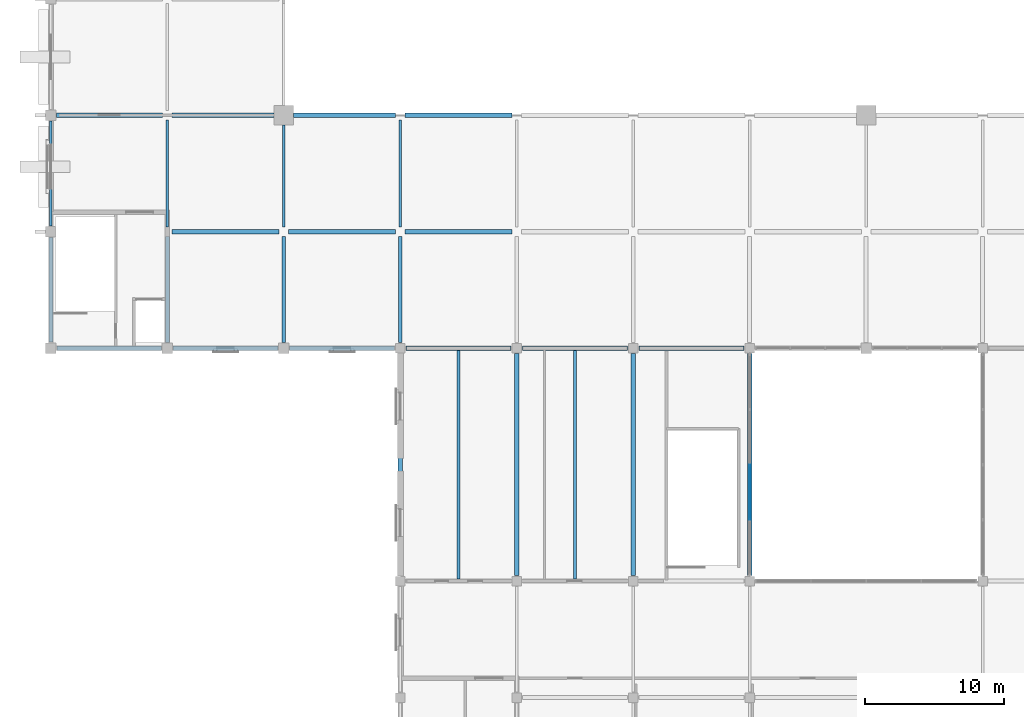
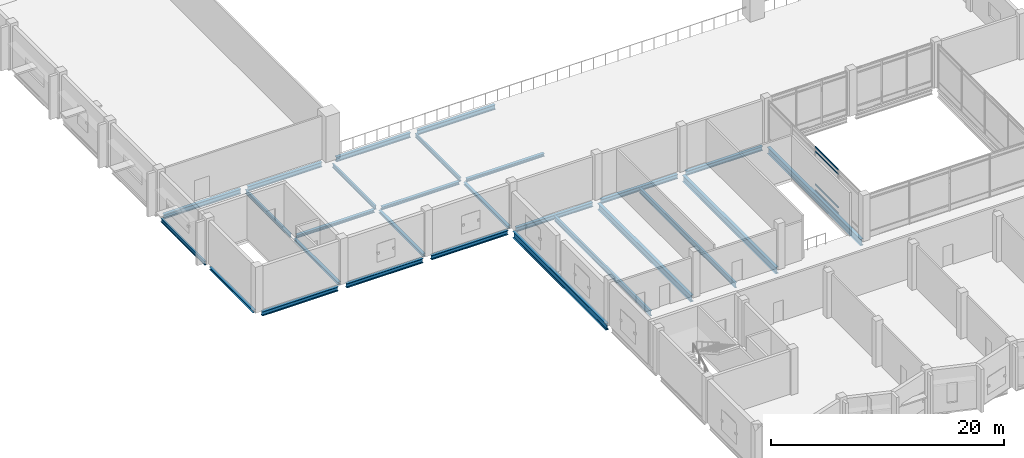
# One storey, part 4 of 110: 27 beams, 4 members, 1 element without a shape of its own.
"""IFC4 building model written with IfcOpenShell, lengths in metres."""

import ifcopenshell
import ifcopenshell.guid

model = None  # the IFC model being written
_history = None  # IfcOwnerHistory: only IFC2X3 demands one
_inside = {}  # id of a spatial element -> (the spatial element, [elements in it])
_under = {}  # id of a project, library or spatial element -> (it, [spatial elements below it])
_declared = {}  # id of a project -> (the project, [libraries it declares])
_typed = {}  # id of a type object -> (the type object, [elements of that type])
_made_of = {}  # id of a material, layer set ... -> (it, [elements and type objects made of it])


def new_model(schema):
    """Start an empty IFC model of exactly this schema.

    Asked for "IFC4X3", IfcOpenShell would pick the latest addendum, in which some entities
    have other attributes; the version numbers below select the first issue.
    IFC2X3 requires an IfcOwnerHistory on every rooted entity: one is made here for all.
    """
    global model, _history
    if schema == "IFC4X3":
        model = ifcopenshell.file(schema_version=(4, 3, 0, 0))
    else:
        model = ifcopenshell.file(schema=schema)
    _inside.clear()
    _under.clear()
    _declared.clear()
    _typed.clear()
    _made_of.clear()
    _history = None
    if model.schema == "IFC2X3":
        org = make("IfcOrganization", Name="unknown")
        user = make(
            "IfcPersonAndOrganization",
            ThePerson=make("IfcPerson", FamilyName="unknown"),
            TheOrganization=org,
        )
        app = make(
            "IfcApplication",
            ApplicationDeveloper=org,
            Version="unknown",
            ApplicationFullName="unknown",
            ApplicationIdentifier="unknown",
        )
        _history = make(
            "IfcOwnerHistory",
            OwningUser=user,
            OwningApplication=app,
            ChangeAction="ADDED",
            CreationDate=0,
        )
    return model


def make(cls, **values):
    """One entity of the class cls with the attributes given. An attribute that is None is left unset."""
    return model.create_entity(
        cls, **{name: value for name, value in values.items() if value is not None}
    )


def rooted(cls, **values):
    """An entity with a GlobalId (a new one), such as an element, a storey or a relation."""
    return make(cls, GlobalId=ifcopenshell.guid.new(), OwnerHistory=_history, **values)


def si_unit(unit_type, name, prefix=None):
    """IfcSIUnit, for example si_unit("LENGTHUNIT", "METRE", prefix="MILLI")."""
    return make("IfcSIUnit", UnitType=unit_type, Prefix=prefix, Name=name)


def assignment(units):
    """IfcUnitAssignment: the units of a project."""
    return None if units is None else make("IfcUnitAssignment", Units=units)


def point(xyz):
    """IfcCartesianPoint."""
    return None if xyz is None else make("IfcCartesianPoint", Coordinates=xyz)


def direction(xyz):
    """IfcDirection."""
    return None if xyz is None else make("IfcDirection", DirectionRatios=xyz)


def frame(location, z_axis=None, x_axis=None):
    """IfcAxis2Placement3D, a coordinate frame: its origin and axes. An axis left out is left unset."""
    return make(
        "IfcAxis2Placement3D",
        Location=point(location),
        Axis=direction(z_axis),
        RefDirection=direction(x_axis),
    )


def frame_2d(location, x_axis=None):
    """IfcAxis2Placement2D, a coordinate frame in the plane: its origin and x axis."""
    return make(
        "IfcAxis2Placement2D", Location=point(location), RefDirection=direction(x_axis)
    )


def origin():
    """The frame at (0, 0, 0) with its axes left unset."""
    return frame((0.0, 0.0, 0.0))


def origin_2d():
    """The frame at (0, 0) in the plane with its x axis left unset."""
    return frame_2d((0.0, 0.0))


def place(relative_to, where):
    """IfcLocalPlacement: puts the frame where relative to a parent placement (None: the world)."""
    return make(
        "IfcLocalPlacement", PlacementRelTo=relative_to, RelativePlacement=where
    )


def context(
    kind, dimensions, precision=None, world=None, true_north=None, identifier=None
):
    """IfcGeometricRepresentationContext, for example the 3D "Model" context."""
    return make(
        "IfcGeometricRepresentationContext",
        ContextIdentifier=identifier,
        ContextType=kind,
        CoordinateSpaceDimension=dimensions,
        Precision=precision,
        WorldCoordinateSystem=world,
        TrueNorth=true_north,
    )


def subcontext(parent, identifier, kind, view, scale=None):
    """IfcGeometricRepresentationSubContext, for example "Body" below "Model"."""
    return make(
        "IfcGeometricRepresentationSubContext",
        ContextIdentifier=identifier,
        ContextType=kind,
        ParentContext=parent,
        TargetScale=scale,
        TargetView=view,
    )


def project(units=None, contexts=None):
    """IfcProject with its units and contexts."""
    return rooted(
        "IfcProject",
        Name="project",
        RepresentationContexts=contexts,
        UnitsInContext=assignment(units),
    )


def spatial(cls, under=None, at=None, **own):
    """A site, building, storey or space (cls), placed at a placement, below another one or the project."""
    s = rooted(cls, ObjectPlacement=at, **own)
    if under is not None:
        _under.setdefault(under.id(), (under, []))[1].append(s)
    return s


def profile(cls, at=None, kind="AREA", **sizes):
    """A parametric profile (cls). Its sizes go by their IFC names, for example OverallWidth=200.0."""
    return make(cls, ProfileType=kind, Position=at, **sizes)


def rectangle(**sizes):
    """IfcRectangleProfileDef."""
    return profile("IfcRectangleProfileDef", **sizes)


def i_section(**sizes):
    """IfcIShapeProfileDef."""
    return profile("IfcIShapeProfileDef", **sizes)


def extrude(swept, where, along, depth):
    """IfcExtrudedAreaSolid: the profile swept, set in the frame where, extruded along a direction by depth."""
    return make(
        "IfcExtrudedAreaSolid",
        SweptArea=swept,
        Position=where,
        ExtrudedDirection=direction(along),
        Depth=depth,
    )


def shape(context_of_items, identifier, shape_type, items):
    """IfcShapeRepresentation: the items that make up one representation, for example the "Body"."""
    return make(
        "IfcShapeRepresentation",
        ContextOfItems=context_of_items,
        RepresentationIdentifier=identifier,
        RepresentationType=shape_type,
        Items=items,
    )


def material(Name=None, Category=None):
    """IfcMaterial."""
    return make("IfcMaterial", Name=Name, Category=Category)


def layer(
    of_material, thickness, ventilated=None, Name=None, Category=None, Priority=None
):
    """IfcMaterialLayer: one layer of a wall or slab, of a material (None: an air gap)."""
    return make(
        "IfcMaterialLayer",
        Material=of_material,
        LayerThickness=thickness,
        IsVentilated=ventilated,
        Name=Name,
        Category=Category,
        Priority=Priority,
    )


def layer_set(layers, Name=None):
    """IfcMaterialLayerSet."""
    return make("IfcMaterialLayerSet", MaterialLayers=layers, LayerSetName=Name)


def material_profile(
    of_material, cross_section, Name=None, Category=None, Priority=None
):
    """IfcMaterialProfile: a cross section and its material."""
    return make(
        "IfcMaterialProfile",
        Name=Name,
        Material=of_material,
        Profile=cross_section,
        Priority=Priority,
        Category=Category,
    )


def profile_set(profiles, Name=None, composite=None):
    """IfcMaterialProfileSet."""
    return make(
        "IfcMaterialProfileSet",
        Name=Name,
        MaterialProfiles=profiles,
        CompositeProfile=composite,
    )


def made_of(thing, what):
    """Note that an element or type object is made of a material, layer set ...; save() writes the relation."""
    if what is not None:
        _made_of.setdefault(what.id(), (what, []))[1].append(thing)
    return thing


def type_object(cls, material=None, **own):
    """A type object (cls), such as IfcWallType, which elements share."""
    return made_of(rooted(cls, **own), material)


def element(
    cls,
    number,
    at=None,
    inside=None,
    cuts=None,
    type_object=None,
    material=None,
    context=None,
    identifier="Body",
    shape_type=None,
    held_by="IfcProductDefinitionShape",
    body=None,
    shapes=None,
    **own,
):
    """One element of the class cls, such as IfcWall. Its Tag is "e" and its number.

    at: its placement. inside: the storey or other place that contains it. cuts: it is an
    opening in that element (IfcRelVoidsElement). A single representation is given by context,
    identifier, shape_type and body (its items); several are given by shapes. held_by: the class
    of the entity that holds the representations. save() writes the other relations.
    """
    e = rooted(cls, Tag="e%d" % number, ObjectPlacement=at, **own)
    if body is not None:
        shapes = [shape(context, identifier, shape_type, body)]
    if shapes is not None:
        e.Representation = make(held_by, Representations=shapes)
    if inside is not None:
        _inside.setdefault(inside.id(), (inside, []))[1].append(e)
    if cuts is not None:
        rooted(
            "IfcRelVoidsElement", RelatingBuildingElement=cuts, RelatedOpeningElement=e
        )
    if type_object is not None:
        _typed.setdefault(type_object.id(), (type_object, []))[1].append(e)
    return made_of(e, material)


def aggregate(whole, parts):
    """IfcRelAggregates: a whole, such as a stair, and the parts it consists of."""
    return rooted("IfcRelAggregates", RelatingObject=whole, RelatedObjects=parts)


def save(model, path):
    """Write the relations noted so far, then the file.

    IfcRelAggregates (storeys below a building ...), IfcRelContainedInSpatialStructure (elements
    in a storey), IfcRelDefinesByType, IfcRelAssociatesMaterial and IfcRelDeclares: one each for
    every whole, place, type object, material and project.
    """
    for whole, parts in _under.values():
        aggregate(whole, parts)
    for where, things in _inside.values():
        rooted(
            "IfcRelContainedInSpatialStructure",
            RelatedElements=things,
            RelatingStructure=where,
        )
    for kind, things in _typed.values():
        rooted("IfcRelDefinesByType", RelatedObjects=things, RelatingType=kind)
    for what, things in _made_of.values():
        rooted("IfcRelAssociatesMaterial", RelatedObjects=things, RelatingMaterial=what)
    for by, libraries in _declared.values():
        rooted("IfcRelDeclares", RelatingContext=by, RelatedDefinitions=libraries)
    model.write(path)


model = new_model("IFC4")

# Units and contexts
model_context = context("Model", 3, precision=1e-05, world=origin(), true_north=direction((0.0, 1.0)))
body_context = subcontext(model_context, "Body", "Model", "MODEL_VIEW")
ifc_project = project(units=[si_unit("LENGTHUNIT", "METRE"), si_unit("AREAUNIT", "SQUARE_METRE"), si_unit("VOLUMEUNIT", "CUBIC_METRE"), si_unit("PLANEANGLEUNIT", "RADIAN"), si_unit("MASSUNIT", "GRAM", prefix="KILO")], contexts=[model_context])

# Site, building, storey
site_placement = place(None, origin())
site = spatial("IfcSite", under=ifc_project, at=site_placement, CompositionType="ELEMENT")
building_placement = place(site_placement, origin())
building = spatial("IfcBuilding", under=site, at=building_placement, Name="Qawsi Khor Wholesale Market", CompositionType="ELEMENT")
storey_placement = place(building_placement, frame((0.0, 0.0, 11.39990234375)))
storey = spatial("IfcBuildingStorey", under=building, at=storey_placement, Name="L02", CompositionType="ELEMENT", Elevation=11.39990234375)

# Curtain wall, members
ifc_material_1 = material(Name="Aluminium Anodised Bronze", Category="aluminium")
ifc_layer = layer(ifc_material_1, 0.179931640625, Name="Aluminium Anodised Bronze")
ifc_layer_set = layer_set([ifc_layer], Name="Aluminium Anodised Bronze")
curtain_wall_type = type_object("IfcCurtainWallType", Name="Atrium Full-Height Curtain Wall CW-02", PredefinedType="NOTDEFINED", material=ifc_layer_set)
curtain_wall_placement = place(storey_placement, origin())
curtain_wall = element("IfcCurtainWall", 1, at=curtain_wall_placement, inside=storey, type_object=curtain_wall_type, Name="Curtain wall CW-CW-02-L02-024", PredefinedType="NOTDEFINED")
ifc_material_profile_1 = material_profile(ifc_material_1, rectangle(XDim=0.06494140625, YDim=0.139892578125, at=origin_2d()), Name="ALU TRANSOM 65x140")
ifc_profile_set_1 = profile_set([ifc_material_profile_1], Name="Aluminium Anodised Bronze")
member_type = type_object("IfcMemberType", Name="Curtain Wall Transom CW-02 ALU TRANSOM 65x140", PredefinedType="USERDEFINED", material=ifc_profile_set_1)
member_1_placement = place(storey_placement, frame((50.39990234375, 29.62255859375, 0.0), z_axis=(0.0, 1.0, 0.0), x_axis=(-1.0, 0.0, 0.0)))
member_1 = element("IfcMember", 2, at=member_1_placement, type_object=member_type, Name="Transom CW-CW-02-L02-024-T0_01", ObjectType="TRANSOM", PredefinedType="USERDEFINED", context=body_context, shape_type="SweptSolid", body=[
    extrude(rectangle(XDim=0.06494140625, YDim=0.139892578125, at=origin_2d()), origin(), (0.0, 0.0, 1.0), 3.9775390625),
])
member_2_placement = place(storey_placement, frame((50.39990234375, 29.62255859375, 0.60009765625), z_axis=(0.0, 1.0, 0.0), x_axis=(-1.0, 0.0, 0.0)))
member_2 = element("IfcMember", 3, at=member_2_placement, type_object=member_type, Name="Transom CW-CW-02-L02-024-T1_01", ObjectType="TRANSOM", PredefinedType="USERDEFINED", context=body_context, shape_type="SweptSolid", body=[
    extrude(rectangle(XDim=0.06494140625, YDim=0.139892578125, at=origin_2d()), origin(), (0.0, 0.0, 1.0), 3.9775390625),
])
member_3_placement = place(storey_placement, frame((50.39990234375, 29.62255859375, 4.070068359375), z_axis=(0.0, 1.0, 0.0), x_axis=(-1.0, 0.0, 0.0)))
member_3 = element("IfcMember", 4, at=member_3_placement, type_object=member_type, Name="Transom CW-CW-02-L02-024-T2_01", ObjectType="TRANSOM", PredefinedType="USERDEFINED", context=body_context, shape_type="SweptSolid", body=[
    extrude(rectangle(XDim=0.06494140625, YDim=0.139892578125, at=origin_2d()), origin(), (0.0, 0.0, 1.0), 3.9775390625),
])
member_4_placement = place(storey_placement, frame((50.39990234375, 29.62255859375, 4.52001953125), z_axis=(0.0, 1.0, 0.0), x_axis=(-1.0, 0.0, 0.0)))
member_4 = element("IfcMember", 5, at=member_4_placement, type_object=member_type, Name="Transom CW-CW-02-L02-024-T3_01", ObjectType="TRANSOM", PredefinedType="USERDEFINED", context=body_context, shape_type="SweptSolid", body=[
    extrude(rectangle(XDim=0.06494140625, YDim=0.139892578125, at=origin_2d()), origin(), (0.0, 0.0, 1.0), 3.9775390625),
])
aggregate(curtain_wall, [member_1, member_2, member_3, member_4])

# Beams
ifc_material_2 = material(Name="Steel S355", Category="steel")
ifc_material_profile_2 = material_profile(ifc_material_2, i_section(OverallWidth=0.300048828125, OverallDepth=0.449951171875, WebThickness=0.013916015625, FlangeThickness=0.02587890625, FilletRadius=0.027099609375, at=origin_2d()), Name="HEB 450")
ifc_profile_set_2 = profile_set([ifc_material_profile_2], Name="Steel S355")
beam_type_1 = type_object("IfcBeamType", Name="Heavy Edge Girder HEB 450", PredefinedType="BEAM", material=ifc_profile_set_2)
beam_1_placement = place(storey_placement, frame((0.449951171875, 42.0, -0.5048828125), z_axis=(1.0, 0.0, 0.0), x_axis=(0.0, 1.0, 0.0)))
element("IfcBeam", 6, at=beam_1_placement, inside=storey, type_object=beam_type_1, Name="BM-X-L02-00_+05", PredefinedType="BEAM", context=body_context, shape_type="SweptSolid", body=[
    extrude(i_section(OverallWidth=0.300048828125, OverallDepth=0.449951171875, WebThickness=0.013916015625, FlangeThickness=0.02587890625, FilletRadius=0.027099609375, at=origin_2d()), origin(), (0.0, 0.0, 1.0), 7.525146484375),
])
beam_2_placement = place(storey_placement, frame((8.824951171875, 42.0, -0.494873046875), z_axis=(1.0, 0.0, 0.0), x_axis=(0.0, 1.0, 0.0)))
element("IfcBeam", 7, at=beam_2_placement, inside=storey, type_object=beam_type_1, Name="BM-X-L02-01_+05", PredefinedType="BEAM", context=body_context, shape_type="SweptSolid", body=[
    extrude(i_section(OverallWidth=0.300048828125, OverallDepth=0.449951171875, WebThickness=0.013916015625, FlangeThickness=0.02587890625, FilletRadius=0.027099609375, at=origin_2d()), origin(), (0.0, 0.0, 1.0), 7.550048828125),
])
beam_3_placement = place(storey_placement, frame((17.22509765625, 42.0, -0.494873046875), z_axis=(1.0, 0.0, 0.0), x_axis=(0.0, 1.0, 0.0)))
element("IfcBeam", 8, at=beam_3_placement, inside=storey, type_object=beam_type_1, Name="BM-X-L02-02_+05", PredefinedType="BEAM", context=body_context, shape_type="SweptSolid", body=[
    extrude(i_section(OverallWidth=0.300048828125, OverallDepth=0.449951171875, WebThickness=0.013916015625, FlangeThickness=0.02587890625, FilletRadius=0.027099609375, at=origin_2d()), origin(), (0.0, 0.0, 1.0), 7.574951171875),
])
beam_4_placement = place(storey_placement, frame((25.60009765625, 42.0, -0.5048828125), z_axis=(1.0, 0.0, 0.0), x_axis=(0.0, 1.0, 0.0)))
element("IfcBeam", 9, at=beam_4_placement, inside=storey, type_object=beam_type_1, Name="BM-X-L02-03_+05", PredefinedType="BEAM", context=body_context, shape_type="SweptSolid", body=[
    extrude(i_section(OverallWidth=0.300048828125, OverallDepth=0.449951171875, WebThickness=0.013916015625, FlangeThickness=0.02587890625, FilletRadius=0.027099609375, at=origin_2d()), origin(), (0.0, 0.0, 1.0), 7.599853515625),
])
for number, where, z_axis, x_axis, name in (
    (10, (34.0, 42.0, -0.5048828125), (1.0, 0.0, 0.0), (0.0, 1.0, 0.0), "BM-X-L02-04_+05"),
    (11, (42.39990234375, 42.0, -0.5048828125), (1.0, 0.0, 0.0), (0.0, 1.0, 0.0), "BM-X-L02-05_+05"),
):
    element("IfcBeam", number, at=place(storey_placement, frame(where, z_axis=z_axis, x_axis=x_axis)), inside=storey, type_object=beam_type_1, Name=name, PredefinedType="BEAM", context=body_context, shape_type="SweptSolid", body=[
        extrude(i_section(OverallWidth=0.300048828125, OverallDepth=0.449951171875, WebThickness=0.013916015625, FlangeThickness=0.02587890625, FilletRadius=0.027099609375, at=origin_2d()), origin(), (0.0, 0.0, 1.0), 7.60009765625),
    ])
ifc_material_profile_3 = material_profile(ifc_material_2, i_section(OverallWidth=0.280029296875, OverallDepth=0.27001953125, WebThickness=0.008056640625, FlangeThickness=0.012939453125, FilletRadius=0.02392578125, at=origin_2d()), Name="HEA 280")
ifc_profile_set_3 = profile_set([ifc_material_profile_3], Name="Steel S355")
beam_type_2 = type_object("IfcBeamType", Name="Primary Girder HEA 280", PredefinedType="BEAM", material=ifc_profile_set_3)
beam_5_placement = place(storey_placement, frame((0.0, 42.449951171875, -0.414794921875), z_axis=(0.0, 1.0, 0.0), x_axis=(-1.0, 0.0, 0.0)))
element("IfcBeam", 12, at=beam_5_placement, inside=storey, type_object=beam_type_2, Name="BM-Y-L02-00_+05", PredefinedType="BEAM", context=body_context, shape_type="SweptSolid", body=[
    extrude(i_section(OverallWidth=0.280029296875, OverallDepth=0.27001953125, WebThickness=0.008056640625, FlangeThickness=0.012939453125, FilletRadius=0.02392578125, at=origin_2d()), origin(), (0.0, 0.0, 1.0), 7.525146484375),
])
for number, where, z_axis, x_axis, name in (
    (13, (8.39990234375, 42.425048828125, -0.414794921875), (0.0, 1.0, 0.0), (-1.0, 0.0, 0.0), "BM-Y-L02-01_+05"),
    (14, (16.800048828125, 42.425048828125, -0.40478515625), (0.0, 1.0, 0.0), (-1.0, 0.0, 0.0), "BM-Y-L02-02_+05"),
):
    element("IfcBeam", number, at=place(storey_placement, frame(where, z_axis=z_axis, x_axis=x_axis)), inside=storey, type_object=beam_type_2, Name=name, PredefinedType="BEAM", context=body_context, shape_type="SweptSolid", body=[
        extrude(i_section(OverallWidth=0.280029296875, OverallDepth=0.27001953125, WebThickness=0.008056640625, FlangeThickness=0.012939453125, FilletRadius=0.02392578125, at=origin_2d()), origin(), (0.0, 0.0, 1.0), 7.625),
    ])
beam_6_placement = place(storey_placement, frame((25.199951171875, 42.39990234375, -0.40478515625), z_axis=(0.0, 1.0, 0.0), x_axis=(-1.0, 0.0, 0.0)))
element("IfcBeam", 15, at=beam_6_placement, inside=storey, type_object=beam_type_2, Name="BM-Y-L02-03_+05", PredefinedType="BEAM", context=body_context, shape_type="SweptSolid", body=[
    extrude(i_section(OverallWidth=0.280029296875, OverallDepth=0.27001953125, WebThickness=0.008056640625, FlangeThickness=0.012939453125, FilletRadius=0.02392578125, at=origin_2d()), origin(), (0.0, 0.0, 1.0), 7.650146484375),
])
ifc_material_profile_4 = material_profile(ifc_material_2, i_section(OverallWidth=0.300048828125, OverallDepth=0.489990234375, WebThickness=0.011962890625, FlangeThickness=0.02294921875, FilletRadius=0.027099609375, at=origin_2d()), Name="HEA 500")
ifc_profile_set_4 = profile_set([ifc_material_profile_4], Name="Steel S355")
beam_type_3 = type_object("IfcBeamType", Name="Primary Girder HEA 500", PredefinedType="BEAM", material=ifc_profile_set_4)
beam_7_placement = place(storey_placement, frame((0.425048828125, 58.800048828125, -0.514892578125), z_axis=(1.0, 0.0, 0.0), x_axis=(0.0, 1.0, 0.0)))
element("IfcBeam", 16, at=beam_7_placement, inside=storey, type_object=beam_type_3, Name="BM-X-L02-00_+07", PredefinedType="BEAM", context=body_context, shape_type="SweptSolid", body=[
    extrude(i_section(OverallWidth=0.300048828125, OverallDepth=0.489990234375, WebThickness=0.011962890625, FlangeThickness=0.02294921875, FilletRadius=0.027099609375, at=origin_2d()), origin(), (0.0, 0.0, 1.0), 7.625),
])
for number, where, z_axis, x_axis, name in (
    (17, (8.75, 58.800048828125, -0.514892578125), (1.0, 0.0, 0.0), (0.0, 1.0, 0.0), "BM-X-L02-01_+07"),
    (18, (17.5, 58.800048828125, -0.514892578125), (1.0, 0.0, 0.0), (0.0, 1.0, 0.0), "BM-X-L02-02_+07"),
):
    element("IfcBeam", number, at=place(storey_placement, frame(where, z_axis=z_axis, x_axis=x_axis)), inside=storey, type_object=beam_type_3, Name=name, PredefinedType="BEAM", context=body_context, shape_type="SweptSolid", body=[
        extrude(i_section(OverallWidth=0.300048828125, OverallDepth=0.489990234375, WebThickness=0.011962890625, FlangeThickness=0.02294921875, FilletRadius=0.027099609375, at=origin_2d()), origin(), (0.0, 0.0, 1.0), 7.35009765625),
    ])
beam_8_placement = place(storey_placement, frame((25.550048828125, 58.800048828125, -0.514892578125), z_axis=(1.0, 0.0, 0.0), x_axis=(0.0, 1.0, 0.0)))
element("IfcBeam", 19, at=beam_8_placement, inside=storey, type_object=beam_type_3, Name="BM-X-L02-03_+07", PredefinedType="BEAM", context=body_context, shape_type="SweptSolid", body=[
    extrude(i_section(OverallWidth=0.300048828125, OverallDepth=0.489990234375, WebThickness=0.011962890625, FlangeThickness=0.02294921875, FilletRadius=0.027099609375, at=origin_2d()), origin(), (0.0, 0.0, 1.0), 7.699951171875),
])
ifc_material_profile_5 = material_profile(ifc_material_2, i_section(OverallWidth=0.300048828125, OverallDepth=0.68994140625, WebThickness=0.014404296875, FlangeThickness=0.027099609375, FilletRadius=0.027099609375, at=origin_2d()), Name="HEA 700")
ifc_profile_set_5 = profile_set([ifc_material_profile_5], Name="Steel S355")
beam_type_4 = type_object("IfcBeamType", Name="Primary Girder HEA 700", PredefinedType="BEAM", material=ifc_profile_set_5)
for number, where, z_axis, x_axis, name in (
    (20, (25.199951171875, 25.60009765625, -0.625), (0.0, 1.0, 0.0), (-1.0, 0.0, 0.0), "BM-YL-L02-03_+03"),
    (21, (33.60009765625, 25.60009765625, -0.625), (0.0, 1.0, 0.0), (-1.0, 0.0, 0.0), "BM-YL-L02-04_+03"),
    (22, (42.0, 25.60009765625, -0.625), (0.0, 1.0, 0.0), (-1.0, 0.0, 0.0), "BM-YL-L02-05_+03"),
    (23, (50.39990234375, 25.60009765625, -0.625), (0.0, 1.0, 0.0), (-1.0, 0.0, 0.0), "BM-YL-L02-06_+03"),
):
    element("IfcBeam", number, at=place(storey_placement, frame(where, z_axis=z_axis, x_axis=x_axis)), inside=storey, type_object=beam_type_4, Name=name, PredefinedType="BEAM", context=body_context, shape_type="SweptSolid", body=[
        extrude(i_section(OverallWidth=0.300048828125, OverallDepth=0.68994140625, WebThickness=0.014404296875, FlangeThickness=0.027099609375, FilletRadius=0.027099609375, at=origin_2d()), origin(), (0.0, 0.0, 1.0), 16.0),
    ])
ifc_material_profile_6 = material_profile(ifc_material_2, i_section(OverallWidth=0.179931640625, OverallDepth=0.39990234375, WebThickness=0.008544921875, FlangeThickness=0.013427734375, FilletRadius=0.02099609375, at=origin_2d()), Name="IPE 400")
ifc_profile_set_6 = profile_set([ifc_material_profile_6], Name="Steel S355")
beam_type_5 = type_object("IfcBeamType", Name="Secondary Beam IPE 400", PredefinedType="BEAM", material=ifc_profile_set_6)
beam_9_placement = place(storey_placement, frame((0.0, 50.824951171875, -0.469970703125), z_axis=(0.0, 1.0, 0.0), x_axis=(-1.0, 0.0, 0.0)))
element("IfcBeam", 24, at=beam_9_placement, inside=storey, type_object=beam_type_5, Name="BM-Y-L02-00_+06", PredefinedType="BEAM", context=body_context, shape_type="SweptSolid", body=[
    extrude(i_section(OverallWidth=0.179931640625, OverallDepth=0.39990234375, WebThickness=0.008544921875, FlangeThickness=0.013427734375, FilletRadius=0.02099609375, at=origin_2d()), origin(), (0.0, 0.0, 1.0), 7.550048828125),
])
beam_10_placement = place(storey_placement, frame((8.39990234375, 50.75, -0.469970703125), z_axis=(0.0, 1.0, 0.0), x_axis=(-1.0, 0.0, 0.0)))
element("IfcBeam", 25, at=beam_10_placement, inside=storey, type_object=beam_type_5, Name="BM-Y-L02-01_+06", PredefinedType="BEAM", context=body_context, shape_type="SweptSolid", body=[
    extrude(i_section(OverallWidth=0.179931640625, OverallDepth=0.39990234375, WebThickness=0.008544921875, FlangeThickness=0.013427734375, FilletRadius=0.02099609375, at=origin_2d()), origin(), (0.0, 0.0, 1.0), 7.699951171875),
])
beam_11_placement = place(storey_placement, frame((16.800048828125, 50.75, -0.469970703125), z_axis=(0.0, 1.0, 0.0), x_axis=(-1.0, 0.0, 0.0)))
element("IfcBeam", 26, at=beam_11_placement, inside=storey, type_object=beam_type_5, Name="BM-Y-L02-02_+06", PredefinedType="BEAM", context=body_context, shape_type="SweptSolid", body=[
    extrude(i_section(OverallWidth=0.179931640625, OverallDepth=0.39990234375, WebThickness=0.008544921875, FlangeThickness=0.013427734375, FilletRadius=0.02099609375, at=origin_2d()), origin(), (0.0, 0.0, 1.0), 7.35009765625),
])
beam_12_placement = place(storey_placement, frame((25.199951171875, 50.75, -0.469970703125), z_axis=(0.0, 1.0, 0.0), x_axis=(-1.0, 0.0, 0.0)))
element("IfcBeam", 27, at=beam_12_placement, inside=storey, type_object=beam_type_5, Name="BM-Y-L02-03_+06", PredefinedType="BEAM", context=body_context, shape_type="SweptSolid", body=[
    extrude(i_section(OverallWidth=0.179931640625, OverallDepth=0.39990234375, WebThickness=0.008544921875, FlangeThickness=0.013427734375, FilletRadius=0.02099609375, at=origin_2d()), origin(), (0.0, 0.0, 1.0), 7.699951171875),
])
ifc_material_profile_7 = material_profile(ifc_material_2, i_section(OverallWidth=0.2099609375, OverallDepth=0.550048828125, WebThickness=0.010986328125, FlangeThickness=0.01708984375, FilletRadius=0.02392578125, at=origin_2d()), Name="IPE 550")
ifc_profile_set_7 = profile_set([ifc_material_profile_7], Name="Steel S355")
beam_type_6 = type_object("IfcBeamType", Name="Secondary Beam IPE 550", PredefinedType="BEAM", material=ifc_profile_set_7)
for number, where, z_axis, x_axis, name in (
    (28, (29.39990234375, 25.35009765625, -0.554931640625), (0.0, 1.0, 0.0), (-1.0, 0.0, 0.0), "JST-M-L02-03"),
    (29, (37.800048828125, 25.35009765625, -0.554931640625), (0.0, 1.0, 0.0), (-1.0, 0.0, 0.0), "JST-M-L02-04"),
):
    element("IfcBeam", number, at=place(storey_placement, frame(where, z_axis=z_axis, x_axis=x_axis)), inside=storey, type_object=beam_type_6, Name=name, PredefinedType="BEAM", context=body_context, shape_type="SweptSolid", body=[
        extrude(i_section(OverallWidth=0.2099609375, OverallDepth=0.550048828125, WebThickness=0.010986328125, FlangeThickness=0.01708984375, FilletRadius=0.02392578125, at=origin_2d()), origin(), (0.0, 0.0, 1.0), 16.5),
    ])
ifc_material_profile_8 = material_profile(ifc_material_2, i_section(OverallWidth=0.300048828125, OverallDepth=0.300048828125, WebThickness=0.010986328125, FlangeThickness=0.01904296875, FilletRadius=0.027099609375, at=origin_2d()), Name="HEB 300")
ifc_profile_set_8 = profile_set([ifc_material_profile_8], Name="Steel S355")
beam_type_7 = type_object("IfcBeamType", Name="Tie Beam HEB 300", PredefinedType="BEAM", material=ifc_profile_set_8)
beam_13_placement = place(storey_placement, frame((8.75, 50.39990234375, -0.419921875), z_axis=(1.0, 0.0, 0.0), x_axis=(0.0, 1.0, 0.0)))
element("IfcBeam", 30, at=beam_13_placement, inside=storey, type_object=beam_type_7, Name="BM-X-L02-01_+06", PredefinedType="BEAM", context=body_context, shape_type="SweptSolid", body=[
    extrude(i_section(OverallWidth=0.300048828125, OverallDepth=0.300048828125, WebThickness=0.010986328125, FlangeThickness=0.01904296875, FilletRadius=0.027099609375, at=origin_2d()), origin(), (0.0, 0.0, 1.0), 7.699951171875),
])
beam_14_placement = place(storey_placement, frame((17.14990234375, 50.39990234375, -0.419921875), z_axis=(1.0, 0.0, 0.0), x_axis=(0.0, 1.0, 0.0)))
element("IfcBeam", 31, at=beam_14_placement, inside=storey, type_object=beam_type_7, Name="BM-X-L02-02_+06", PredefinedType="BEAM", context=body_context, shape_type="SweptSolid", body=[
    extrude(i_section(OverallWidth=0.300048828125, OverallDepth=0.300048828125, WebThickness=0.010986328125, FlangeThickness=0.01904296875, FilletRadius=0.027099609375, at=origin_2d()), origin(), (0.0, 0.0, 1.0), 7.7001953125),
])
beam_15_placement = place(storey_placement, frame((25.550048828125, 50.39990234375, -0.419921875), z_axis=(1.0, 0.0, 0.0), x_axis=(0.0, 1.0, 0.0)))
element("IfcBeam", 32, at=beam_15_placement, inside=storey, type_object=beam_type_7, Name="BM-X-L02-03_+06", PredefinedType="BEAM", context=body_context, shape_type="SweptSolid", body=[
    extrude(i_section(OverallWidth=0.300048828125, OverallDepth=0.300048828125, WebThickness=0.010986328125, FlangeThickness=0.01904296875, FilletRadius=0.027099609375, at=origin_2d()), origin(), (0.0, 0.0, 1.0), 7.699951171875),
])

save(model, "model.ifc")
